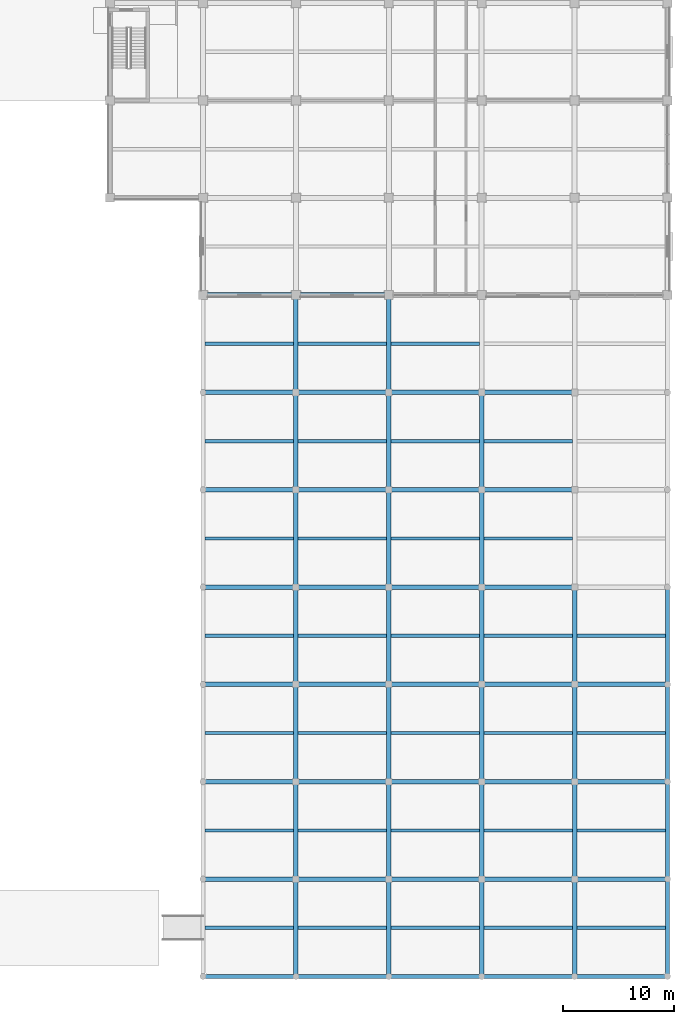
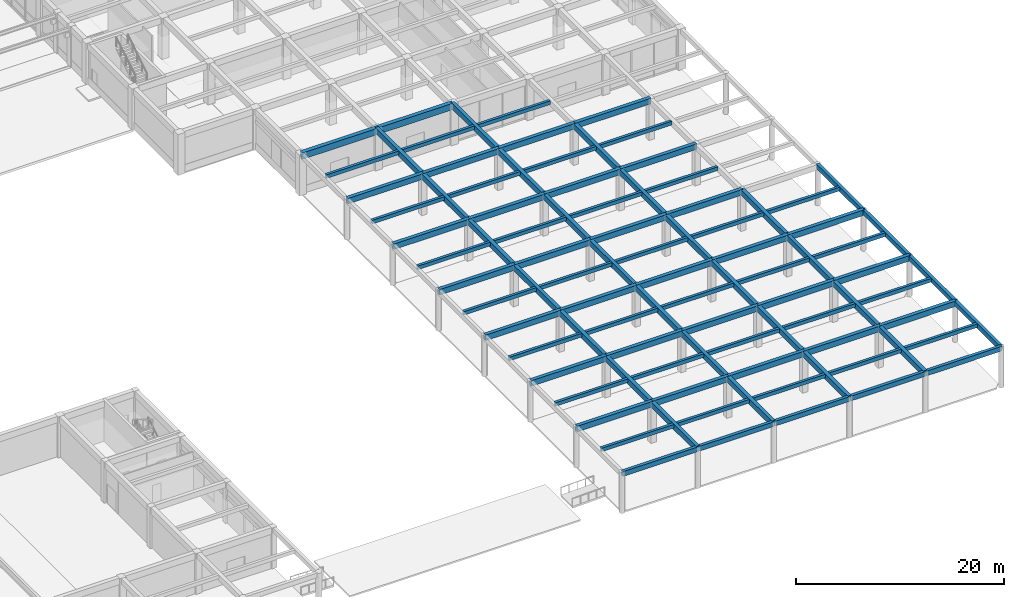
# One storey, part 20 of 58: 93 beams.
"""IFC4 building model written with IfcOpenShell, lengths in metres."""

from ifc_helpers import new_model, si_unit, direction, frame, origin, origin_2d, place, context, subcontext, project, spatial, rectangle, extrude, material, material_profile, profile_set, type_object, element, save


model = new_model("IFC4")

# Units and contexts
model_context = context("Model", 3, precision=1e-05, world=origin(), true_north=direction((0.0, 1.0)))
body_context = subcontext(model_context, "Body", "Model", "MODEL_VIEW")
ifc_project = project(units=[si_unit("LENGTHUNIT", "METRE"), si_unit("AREAUNIT", "SQUARE_METRE"), si_unit("VOLUMEUNIT", "CUBIC_METRE"), si_unit("PLANEANGLEUNIT", "RADIAN"), si_unit("MASSUNIT", "GRAM", prefix="KILO")], contexts=[model_context])

# Site, building, storey
site_placement = place(None, origin())
site = spatial("IfcSite", under=ifc_project, at=site_placement, CompositionType="ELEMENT")
building_placement = place(site_placement, origin())
building = spatial("IfcBuilding", under=site, at=building_placement, Name="Kemercrest Conservatory and Botanical Centre", CompositionType="ELEMENT")
storey_placement = place(building_placement, origin())
storey = spatial("IfcBuildingStorey", under=building, at=storey_placement, Name="L00", CompositionType="ELEMENT", Elevation=0.0)

# Beams
ifc_material_1 = material(Name="Concrete C40/50", Category="concrete")
ifc_material_profile_1 = material_profile(ifc_material_1, rectangle(XDim=0.39990234375, YDim=0.64990234375, at=origin_2d()), Name="RC 400x650")
ifc_profile_set_1 = profile_set([ifc_material_profile_1], Name="Concrete C40/50")
beam_type_1 = type_object("IfcBeamType", Name="BM-RC65", PredefinedType="BEAM", material=ifc_profile_set_1)
beam_1_placement = place(storey_placement, frame((134.0, 16.800048828125, 4.47509765625), z_axis=(1.0, 0.0, 0.0), x_axis=(0.0, 1.0, 0.0)))
element("IfcBeam", 1, at=beam_1_placement, inside=storey, type_object=beam_type_1, Name="V4SECOL beam BM-RC65 B/16-17", PredefinedType="BEAM", context=body_context, shape_type="SweptSolid", body=[
    extrude(rectangle(XDim=0.39990234375, YDim=0.64990234375, at=origin_2d()), origin(), (0.0, 0.0, 1.0), 8.39990234375),
])
beam_2_placement = place(storey_placement, frame((142.39990234375, 16.800048828125, 4.47509765625), z_axis=(1.0, 0.0, 0.0), x_axis=(0.0, 1.0, 0.0)))
element("IfcBeam", 2, at=beam_2_placement, inside=storey, type_object=beam_type_1, Name="V4SECOL beam BM-RC65 B/17-18", PredefinedType="BEAM", context=body_context, shape_type="SweptSolid", body=[
    extrude(rectangle(XDim=0.39990234375, YDim=0.64990234375, at=origin_2d()), origin(), (0.0, 0.0, 1.0), 8.400146484375),
])
beam_3_placement = place(storey_placement, frame((150.800048828125, 16.800048828125, 4.47509765625), z_axis=(1.0, 0.0, 0.0), x_axis=(0.0, 1.0, 0.0)))
element("IfcBeam", 3, at=beam_3_placement, inside=storey, type_object=beam_type_1, Name="V4SECOL beam BM-RC65 B/18-19", PredefinedType="BEAM", context=body_context, shape_type="SweptSolid", body=[
    extrude(rectangle(XDim=0.39990234375, YDim=0.64990234375, at=origin_2d()), origin(), (0.0, 0.0, 1.0), 8.39990234375),
])
beam_4_placement = place(storey_placement, frame((159.199951171875, 16.800048828125, 4.47509765625), z_axis=(1.0, 0.0, 0.0), x_axis=(0.0, 1.0, 0.0)))
element("IfcBeam", 4, at=beam_4_placement, inside=storey, type_object=beam_type_1, Name="V4SECOL beam BM-RC65 B/19-20", PredefinedType="BEAM", context=body_context, shape_type="SweptSolid", body=[
    extrude(rectangle(XDim=0.39990234375, YDim=0.64990234375, at=origin_2d()), origin(), (0.0, 0.0, 1.0), 8.400146484375),
])
for number, where, z_axis, x_axis, name in (
    (5, (167.60009765625, 16.800048828125, 4.47509765625), (1.0, 0.0, 0.0), (0.0, 1.0, 0.0), "V4SECOL beam BM-RC65 B/20-21"),
    (6, (134.0, 25.60009765625, 4.47509765625), (1.0, 0.0, 0.0), (0.0, 1.0, 0.0), "V4SECOL beam BM-RC65 C/16-17"),
):
    element("IfcBeam", number, at=place(storey_placement, frame(where, z_axis=z_axis, x_axis=x_axis)), inside=storey, type_object=beam_type_1, Name=name, PredefinedType="BEAM", context=body_context, shape_type="SweptSolid", body=[
        extrude(rectangle(XDim=0.39990234375, YDim=0.64990234375, at=origin_2d()), origin(), (0.0, 0.0, 1.0), 8.39990234375),
    ])
beam_5_placement = place(storey_placement, frame((142.39990234375, 25.60009765625, 4.47509765625), z_axis=(1.0, 0.0, 0.0), x_axis=(0.0, 1.0, 0.0)))
element("IfcBeam", 7, at=beam_5_placement, inside=storey, type_object=beam_type_1, Name="V4SECOL beam BM-RC65 C/17-18", PredefinedType="BEAM", context=body_context, shape_type="SweptSolid", body=[
    extrude(rectangle(XDim=0.39990234375, YDim=0.64990234375, at=origin_2d()), origin(), (0.0, 0.0, 1.0), 8.400146484375),
])
beam_6_placement = place(storey_placement, frame((150.800048828125, 25.60009765625, 4.47509765625), z_axis=(1.0, 0.0, 0.0), x_axis=(0.0, 1.0, 0.0)))
element("IfcBeam", 8, at=beam_6_placement, inside=storey, type_object=beam_type_1, Name="V4SECOL beam BM-RC65 C/18-19", PredefinedType="BEAM", context=body_context, shape_type="SweptSolid", body=[
    extrude(rectangle(XDim=0.39990234375, YDim=0.64990234375, at=origin_2d()), origin(), (0.0, 0.0, 1.0), 8.39990234375),
])
beam_7_placement = place(storey_placement, frame((159.199951171875, 25.60009765625, 4.47509765625), z_axis=(1.0, 0.0, 0.0), x_axis=(0.0, 1.0, 0.0)))
element("IfcBeam", 9, at=beam_7_placement, inside=storey, type_object=beam_type_1, Name="V4SECOL beam BM-RC65 C/19-20", PredefinedType="BEAM", context=body_context, shape_type="SweptSolid", body=[
    extrude(rectangle(XDim=0.39990234375, YDim=0.64990234375, at=origin_2d()), origin(), (0.0, 0.0, 1.0), 8.400146484375),
])
for number, where, z_axis, x_axis, name in (
    (10, (167.60009765625, 25.60009765625, 4.47509765625), (1.0, 0.0, 0.0), (0.0, 1.0, 0.0), "V4SECOL beam BM-RC65 C/20-21"),
    (11, (134.0, 34.39990234375, 4.47509765625), (1.0, 0.0, 0.0), (0.0, 1.0, 0.0), "V4SECOL beam BM-RC65 D/16-17"),
):
    element("IfcBeam", number, at=place(storey_placement, frame(where, z_axis=z_axis, x_axis=x_axis)), inside=storey, type_object=beam_type_1, Name=name, PredefinedType="BEAM", context=body_context, shape_type="SweptSolid", body=[
        extrude(rectangle(XDim=0.39990234375, YDim=0.64990234375, at=origin_2d()), origin(), (0.0, 0.0, 1.0), 8.39990234375),
    ])
beam_8_placement = place(storey_placement, frame((142.39990234375, 34.39990234375, 4.47509765625), z_axis=(1.0, 0.0, 0.0), x_axis=(0.0, 1.0, 0.0)))
element("IfcBeam", 12, at=beam_8_placement, inside=storey, type_object=beam_type_1, Name="V4SECOL beam BM-RC65 D/17-18", PredefinedType="BEAM", context=body_context, shape_type="SweptSolid", body=[
    extrude(rectangle(XDim=0.39990234375, YDim=0.64990234375, at=origin_2d()), origin(), (0.0, 0.0, 1.0), 8.400146484375),
])
beam_9_placement = place(storey_placement, frame((150.800048828125, 34.39990234375, 4.47509765625), z_axis=(1.0, 0.0, 0.0), x_axis=(0.0, 1.0, 0.0)))
element("IfcBeam", 13, at=beam_9_placement, inside=storey, type_object=beam_type_1, Name="V4SECOL beam BM-RC65 D/18-19", PredefinedType="BEAM", context=body_context, shape_type="SweptSolid", body=[
    extrude(rectangle(XDim=0.39990234375, YDim=0.64990234375, at=origin_2d()), origin(), (0.0, 0.0, 1.0), 8.39990234375),
])
beam_10_placement = place(storey_placement, frame((159.199951171875, 34.39990234375, 4.47509765625), z_axis=(1.0, 0.0, 0.0), x_axis=(0.0, 1.0, 0.0)))
element("IfcBeam", 14, at=beam_10_placement, inside=storey, type_object=beam_type_1, Name="V4SECOL beam BM-RC65 D/19-20", PredefinedType="BEAM", context=body_context, shape_type="SweptSolid", body=[
    extrude(rectangle(XDim=0.39990234375, YDim=0.64990234375, at=origin_2d()), origin(), (0.0, 0.0, 1.0), 8.400146484375),
])
for number, where, z_axis, x_axis, name in (
    (15, (167.60009765625, 34.39990234375, 4.47509765625), (1.0, 0.0, 0.0), (0.0, 1.0, 0.0), "V4SECOL beam BM-RC65 D/20-21"),
    (16, (134.0, 43.199951171875, 4.47509765625), (1.0, 0.0, 0.0), (0.0, 1.0, 0.0), "V4SECOL beam BM-RC65 E/16-17"),
):
    element("IfcBeam", number, at=place(storey_placement, frame(where, z_axis=z_axis, x_axis=x_axis)), inside=storey, type_object=beam_type_1, Name=name, PredefinedType="BEAM", context=body_context, shape_type="SweptSolid", body=[
        extrude(rectangle(XDim=0.39990234375, YDim=0.64990234375, at=origin_2d()), origin(), (0.0, 0.0, 1.0), 8.39990234375),
    ])
beam_11_placement = place(storey_placement, frame((142.39990234375, 43.199951171875, 4.47509765625), z_axis=(1.0, 0.0, 0.0), x_axis=(0.0, 1.0, 0.0)))
element("IfcBeam", 17, at=beam_11_placement, inside=storey, type_object=beam_type_1, Name="V4SECOL beam BM-RC65 E/17-18", PredefinedType="BEAM", context=body_context, shape_type="SweptSolid", body=[
    extrude(rectangle(XDim=0.39990234375, YDim=0.64990234375, at=origin_2d()), origin(), (0.0, 0.0, 1.0), 8.400146484375),
])
beam_12_placement = place(storey_placement, frame((150.800048828125, 43.199951171875, 4.47509765625), z_axis=(1.0, 0.0, 0.0), x_axis=(0.0, 1.0, 0.0)))
element("IfcBeam", 18, at=beam_12_placement, inside=storey, type_object=beam_type_1, Name="V4SECOL beam BM-RC65 E/18-19", PredefinedType="BEAM", context=body_context, shape_type="SweptSolid", body=[
    extrude(rectangle(XDim=0.39990234375, YDim=0.64990234375, at=origin_2d()), origin(), (0.0, 0.0, 1.0), 8.39990234375),
])
beam_13_placement = place(storey_placement, frame((159.199951171875, 43.199951171875, 4.47509765625), z_axis=(1.0, 0.0, 0.0), x_axis=(0.0, 1.0, 0.0)))
element("IfcBeam", 19, at=beam_13_placement, inside=storey, type_object=beam_type_1, Name="V4SECOL beam BM-RC65 E/19-20", PredefinedType="BEAM", context=body_context, shape_type="SweptSolid", body=[
    extrude(rectangle(XDim=0.39990234375, YDim=0.64990234375, at=origin_2d()), origin(), (0.0, 0.0, 1.0), 8.400146484375),
])
beam_14_placement = place(storey_placement, frame((134.0, 52.0, 4.47509765625), z_axis=(1.0, 0.0, 0.0), x_axis=(0.0, 1.0, 0.0)))
element("IfcBeam", 20, at=beam_14_placement, inside=storey, type_object=beam_type_1, Name="V4SECOL beam BM-RC65 F/16-17", PredefinedType="BEAM", context=body_context, shape_type="SweptSolid", body=[
    extrude(rectangle(XDim=0.39990234375, YDim=0.64990234375, at=origin_2d()), origin(), (0.0, 0.0, 1.0), 8.39990234375),
])
beam_15_placement = place(storey_placement, frame((142.39990234375, 52.0, 4.47509765625), z_axis=(1.0, 0.0, 0.0), x_axis=(0.0, 1.0, 0.0)))
element("IfcBeam", 21, at=beam_15_placement, inside=storey, type_object=beam_type_1, Name="V4SECOL beam BM-RC65 F/17-18", PredefinedType="BEAM", context=body_context, shape_type="SweptSolid", body=[
    extrude(rectangle(XDim=0.39990234375, YDim=0.64990234375, at=origin_2d()), origin(), (0.0, 0.0, 1.0), 8.400146484375),
])
beam_16_placement = place(storey_placement, frame((150.800048828125, 52.0, 4.47509765625), z_axis=(1.0, 0.0, 0.0), x_axis=(0.0, 1.0, 0.0)))
element("IfcBeam", 22, at=beam_16_placement, inside=storey, type_object=beam_type_1, Name="V4SECOL beam BM-RC65 F/18-19", PredefinedType="BEAM", context=body_context, shape_type="SweptSolid", body=[
    extrude(rectangle(XDim=0.39990234375, YDim=0.64990234375, at=origin_2d()), origin(), (0.0, 0.0, 1.0), 8.39990234375),
])
beam_17_placement = place(storey_placement, frame((159.199951171875, 52.0, 4.47509765625), z_axis=(1.0, 0.0, 0.0), x_axis=(0.0, 1.0, 0.0)))
element("IfcBeam", 23, at=beam_17_placement, inside=storey, type_object=beam_type_1, Name="V4SECOL beam BM-RC65 F/19-20", PredefinedType="BEAM", context=body_context, shape_type="SweptSolid", body=[
    extrude(rectangle(XDim=0.39990234375, YDim=0.64990234375, at=origin_2d()), origin(), (0.0, 0.0, 1.0), 8.400146484375),
])
beam_18_placement = place(storey_placement, frame((134.0, 60.800048828125, 4.47509765625), z_axis=(1.0, 0.0, 0.0), x_axis=(0.0, 1.0, 0.0)))
element("IfcBeam", 24, at=beam_18_placement, inside=storey, type_object=beam_type_1, Name="V4SECOL beam BM-RC65 G/16-17", PredefinedType="BEAM", context=body_context, shape_type="SweptSolid", body=[
    extrude(rectangle(XDim=0.39990234375, YDim=0.64990234375, at=origin_2d()), origin(), (0.0, 0.0, 1.0), 8.39990234375),
])
beam_19_placement = place(storey_placement, frame((142.39990234375, 60.800048828125, 4.47509765625), z_axis=(1.0, 0.0, 0.0), x_axis=(0.0, 1.0, 0.0)))
element("IfcBeam", 25, at=beam_19_placement, inside=storey, type_object=beam_type_1, Name="V4SECOL beam BM-RC65 G/17-18", PredefinedType="BEAM", context=body_context, shape_type="SweptSolid", body=[
    extrude(rectangle(XDim=0.39990234375, YDim=0.64990234375, at=origin_2d()), origin(), (0.0, 0.0, 1.0), 8.400146484375),
])
beam_20_placement = place(storey_placement, frame((150.800048828125, 60.800048828125, 4.47509765625), z_axis=(1.0, 0.0, 0.0), x_axis=(0.0, 1.0, 0.0)))
element("IfcBeam", 26, at=beam_20_placement, inside=storey, type_object=beam_type_1, Name="V4SECOL beam BM-RC65 G/18-19", PredefinedType="BEAM", context=body_context, shape_type="SweptSolid", body=[
    extrude(rectangle(XDim=0.39990234375, YDim=0.64990234375, at=origin_2d()), origin(), (0.0, 0.0, 1.0), 8.39990234375),
])
beam_21_placement = place(storey_placement, frame((159.199951171875, 60.800048828125, 4.47509765625), z_axis=(1.0, 0.0, 0.0), x_axis=(0.0, 1.0, 0.0)))
element("IfcBeam", 27, at=beam_21_placement, inside=storey, type_object=beam_type_1, Name="V4SECOL beam BM-RC65 G/19-20", PredefinedType="BEAM", context=body_context, shape_type="SweptSolid", body=[
    extrude(rectangle(XDim=0.39990234375, YDim=0.64990234375, at=origin_2d()), origin(), (0.0, 0.0, 1.0), 8.400146484375),
])
for number, where, z_axis, x_axis, name in (
    (28, (142.39990234375, 8.0, 4.47509765625), (0.0, 1.0, 0.0), (-1.0, 0.0, 0.0), "V4SECOL beam BM-RC65 17/A-B"),
    (29, (142.39990234375, 16.800048828125, 4.47509765625), (0.0, 1.0, 0.0), (-1.0, 0.0, 0.0), "V4SECOL beam BM-RC65 17/B-C"),
):
    element("IfcBeam", number, at=place(storey_placement, frame(where, z_axis=z_axis, x_axis=x_axis)), inside=storey, type_object=beam_type_1, Name=name, PredefinedType="BEAM", context=body_context, shape_type="SweptSolid", body=[
        extrude(rectangle(XDim=0.39990234375, YDim=0.64990234375, at=origin_2d()), origin(), (0.0, 0.0, 1.0), 8.800048828125),
    ])
beam_22_placement = place(storey_placement, frame((142.39990234375, 25.60009765625, 4.47509765625), z_axis=(0.0, 1.0, 0.0), x_axis=(-1.0, 0.0, 0.0)))
element("IfcBeam", 30, at=beam_22_placement, inside=storey, type_object=beam_type_1, Name="V4SECOL beam BM-RC65 17/C-D", PredefinedType="BEAM", context=body_context, shape_type="SweptSolid", body=[
    extrude(rectangle(XDim=0.39990234375, YDim=0.64990234375, at=origin_2d()), origin(), (0.0, 0.0, 1.0), 8.7998046875),
])
for number, where, z_axis, x_axis, name in (
    (31, (142.39990234375, 34.39990234375, 4.47509765625), (0.0, 1.0, 0.0), (-1.0, 0.0, 0.0), "V4SECOL beam BM-RC65 17/D-E"),
    (32, (142.39990234375, 43.199951171875, 4.47509765625), (0.0, 1.0, 0.0), (-1.0, 0.0, 0.0), "V4SECOL beam BM-RC65 17/E-F"),
    (33, (142.39990234375, 52.0, 4.47509765625), (0.0, 1.0, 0.0), (-1.0, 0.0, 0.0), "V4SECOL beam BM-RC65 17/F-G"),
    (34, (142.39990234375, 60.800048828125, 4.47509765625), (0.0, 1.0, 0.0), (-1.0, 0.0, 0.0), "V4SECOL beam BM-RC65 17/G-H"),
    (35, (150.800048828125, 8.0, 4.47509765625), (0.0, 1.0, 0.0), (-1.0, 0.0, 0.0), "V4SECOL beam BM-RC65 18/A-B"),
    (36, (150.800048828125, 16.800048828125, 4.47509765625), (0.0, 1.0, 0.0), (-1.0, 0.0, 0.0), "V4SECOL beam BM-RC65 18/B-C"),
):
    element("IfcBeam", number, at=place(storey_placement, frame(where, z_axis=z_axis, x_axis=x_axis)), inside=storey, type_object=beam_type_1, Name=name, PredefinedType="BEAM", context=body_context, shape_type="SweptSolid", body=[
        extrude(rectangle(XDim=0.39990234375, YDim=0.64990234375, at=origin_2d()), origin(), (0.0, 0.0, 1.0), 8.800048828125),
    ])
beam_23_placement = place(storey_placement, frame((150.800048828125, 25.60009765625, 4.47509765625), z_axis=(0.0, 1.0, 0.0), x_axis=(-1.0, 0.0, 0.0)))
element("IfcBeam", 37, at=beam_23_placement, inside=storey, type_object=beam_type_1, Name="V4SECOL beam BM-RC65 18/C-D", PredefinedType="BEAM", context=body_context, shape_type="SweptSolid", body=[
    extrude(rectangle(XDim=0.39990234375, YDim=0.64990234375, at=origin_2d()), origin(), (0.0, 0.0, 1.0), 8.7998046875),
])
for number, where, z_axis, x_axis, name in (
    (38, (150.800048828125, 34.39990234375, 4.47509765625), (0.0, 1.0, 0.0), (-1.0, 0.0, 0.0), "V4SECOL beam BM-RC65 18/D-E"),
    (39, (150.800048828125, 43.199951171875, 4.47509765625), (0.0, 1.0, 0.0), (-1.0, 0.0, 0.0), "V4SECOL beam BM-RC65 18/E-F"),
    (40, (150.800048828125, 52.0, 4.47509765625), (0.0, 1.0, 0.0), (-1.0, 0.0, 0.0), "V4SECOL beam BM-RC65 18/F-G"),
    (41, (150.800048828125, 60.800048828125, 4.47509765625), (0.0, 1.0, 0.0), (-1.0, 0.0, 0.0), "V4SECOL beam BM-RC65 18/G-H"),
    (42, (159.199951171875, 8.0, 4.47509765625), (0.0, 1.0, 0.0), (-1.0, 0.0, 0.0), "V4SECOL beam BM-RC65 19/A-B"),
    (43, (159.199951171875, 16.800048828125, 4.47509765625), (0.0, 1.0, 0.0), (-1.0, 0.0, 0.0), "V4SECOL beam BM-RC65 19/B-C"),
):
    element("IfcBeam", number, at=place(storey_placement, frame(where, z_axis=z_axis, x_axis=x_axis)), inside=storey, type_object=beam_type_1, Name=name, PredefinedType="BEAM", context=body_context, shape_type="SweptSolid", body=[
        extrude(rectangle(XDim=0.39990234375, YDim=0.64990234375, at=origin_2d()), origin(), (0.0, 0.0, 1.0), 8.800048828125),
    ])
beam_24_placement = place(storey_placement, frame((159.199951171875, 25.60009765625, 4.47509765625), z_axis=(0.0, 1.0, 0.0), x_axis=(-1.0, 0.0, 0.0)))
element("IfcBeam", 44, at=beam_24_placement, inside=storey, type_object=beam_type_1, Name="V4SECOL beam BM-RC65 19/C-D", PredefinedType="BEAM", context=body_context, shape_type="SweptSolid", body=[
    extrude(rectangle(XDim=0.39990234375, YDim=0.64990234375, at=origin_2d()), origin(), (0.0, 0.0, 1.0), 8.7998046875),
])
for number, where, z_axis, x_axis, name in (
    (45, (159.199951171875, 34.39990234375, 4.47509765625), (0.0, 1.0, 0.0), (-1.0, 0.0, 0.0), "V4SECOL beam BM-RC65 19/D-E"),
    (46, (159.199951171875, 43.199951171875, 4.47509765625), (0.0, 1.0, 0.0), (-1.0, 0.0, 0.0), "V4SECOL beam BM-RC65 19/E-F"),
    (47, (159.199951171875, 52.0, 4.47509765625), (0.0, 1.0, 0.0), (-1.0, 0.0, 0.0), "V4SECOL beam BM-RC65 19/F-G"),
    (48, (167.60009765625, 8.0, 4.47509765625), (0.0, 1.0, 0.0), (-1.0, 0.0, 0.0), "V4SECOL beam BM-RC65 20/A-B"),
    (49, (167.60009765625, 16.800048828125, 4.47509765625), (0.0, 1.0, 0.0), (-1.0, 0.0, 0.0), "V4SECOL beam BM-RC65 20/B-C"),
):
    element("IfcBeam", number, at=place(storey_placement, frame(where, z_axis=z_axis, x_axis=x_axis)), inside=storey, type_object=beam_type_1, Name=name, PredefinedType="BEAM", context=body_context, shape_type="SweptSolid", body=[
        extrude(rectangle(XDim=0.39990234375, YDim=0.64990234375, at=origin_2d()), origin(), (0.0, 0.0, 1.0), 8.800048828125),
    ])
beam_25_placement = place(storey_placement, frame((167.60009765625, 25.60009765625, 4.47509765625), z_axis=(0.0, 1.0, 0.0), x_axis=(-1.0, 0.0, 0.0)))
element("IfcBeam", 50, at=beam_25_placement, inside=storey, type_object=beam_type_1, Name="V4SECOL beam BM-RC65 20/C-D", PredefinedType="BEAM", context=body_context, shape_type="SweptSolid", body=[
    extrude(rectangle(XDim=0.39990234375, YDim=0.64990234375, at=origin_2d()), origin(), (0.0, 0.0, 1.0), 8.7998046875),
])
beam_26_placement = place(storey_placement, frame((167.60009765625, 34.39990234375, 4.47509765625), z_axis=(0.0, 1.0, 0.0), x_axis=(-1.0, 0.0, 0.0)))
element("IfcBeam", 51, at=beam_26_placement, inside=storey, type_object=beam_type_1, Name="V4SECOL beam BM-RC65 20/D-E", PredefinedType="BEAM", context=body_context, shape_type="SweptSolid", body=[
    extrude(rectangle(XDim=0.39990234375, YDim=0.64990234375, at=origin_2d()), origin(), (0.0, 0.0, 1.0), 8.800048828125),
])
ifc_material_profile_2 = material_profile(ifc_material_1, rectangle(XDim=0.300048828125, YDim=0.419921875, at=origin_2d()), Name="RC 300x420")
ifc_profile_set_2 = profile_set([ifc_material_profile_2], Name="Concrete C40/50")
beam_type_2 = type_object("IfcBeamType", Name="JS-RC42", PredefinedType="JOIST", material=ifc_profile_set_2)
beam_27_placement = place(storey_placement, frame((134.175048828125, 12.39990234375, 4.590087890625), z_axis=(1.0, 0.0, 0.0), x_axis=(0.0, 1.0, 0.0)))
element("IfcBeam", 52, at=beam_27_placement, inside=storey, type_object=beam_type_2, Name="V4SECOL secondary joist JS-RC42", PredefinedType="JOIST", context=body_context, shape_type="SweptSolid", body=[
    extrude(rectangle(XDim=0.300048828125, YDim=0.419921875, at=origin_2d()), origin(), (0.0, 0.0, 1.0), 8.02490234375),
])
for number, where, z_axis, x_axis, name in (
    (53, (142.60009765625, 12.39990234375, 4.590087890625), (1.0, 0.0, 0.0), (0.0, 1.0, 0.0), "V4SECOL secondary joist JS-RC42"),
    (54, (151.0, 12.39990234375, 4.590087890625), (1.0, 0.0, 0.0), (0.0, 1.0, 0.0), "V4SECOL secondary joist JS-RC42"),
    (55, (159.39990234375, 12.39990234375, 4.590087890625), (1.0, 0.0, 0.0), (0.0, 1.0, 0.0), "V4SECOL secondary joist JS-RC42"),
):
    element("IfcBeam", number, at=place(storey_placement, frame(where, z_axis=z_axis, x_axis=x_axis)), inside=storey, type_object=beam_type_2, Name=name, PredefinedType="JOIST", context=body_context, shape_type="SweptSolid", body=[
        extrude(rectangle(XDim=0.300048828125, YDim=0.419921875, at=origin_2d()), origin(), (0.0, 0.0, 1.0), 8.0),
    ])
for number, where, z_axis, x_axis, name in (
    (56, (167.800048828125, 12.39990234375, 4.590087890625), (1.0, 0.0, 0.0), (0.0, 1.0, 0.0), "V4SECOL secondary joist JS-RC42"),
    (57, (134.175048828125, 21.199951171875, 4.590087890625), (1.0, 0.0, 0.0), (0.0, 1.0, 0.0), "V4SECOL secondary joist JS-RC42"),
):
    element("IfcBeam", number, at=place(storey_placement, frame(where, z_axis=z_axis, x_axis=x_axis)), inside=storey, type_object=beam_type_2, Name=name, PredefinedType="JOIST", context=body_context, shape_type="SweptSolid", body=[
        extrude(rectangle(XDim=0.300048828125, YDim=0.419921875, at=origin_2d()), origin(), (0.0, 0.0, 1.0), 8.02490234375),
    ])
for number, where, z_axis, x_axis, name in (
    (58, (142.60009765625, 21.199951171875, 4.590087890625), (1.0, 0.0, 0.0), (0.0, 1.0, 0.0), "V4SECOL secondary joist JS-RC42"),
    (59, (151.0, 21.199951171875, 4.590087890625), (1.0, 0.0, 0.0), (0.0, 1.0, 0.0), "V4SECOL secondary joist JS-RC42"),
    (60, (159.39990234375, 21.199951171875, 4.590087890625), (1.0, 0.0, 0.0), (0.0, 1.0, 0.0), "V4SECOL secondary joist JS-RC42"),
):
    element("IfcBeam", number, at=place(storey_placement, frame(where, z_axis=z_axis, x_axis=x_axis)), inside=storey, type_object=beam_type_2, Name=name, PredefinedType="JOIST", context=body_context, shape_type="SweptSolid", body=[
        extrude(rectangle(XDim=0.300048828125, YDim=0.419921875, at=origin_2d()), origin(), (0.0, 0.0, 1.0), 8.0),
    ])
for number, where, z_axis, x_axis, name in (
    (61, (167.800048828125, 21.199951171875, 4.590087890625), (1.0, 0.0, 0.0), (0.0, 1.0, 0.0), "V4SECOL secondary joist JS-RC42"),
    (62, (134.175048828125, 30.0, 4.590087890625), (1.0, 0.0, 0.0), (0.0, 1.0, 0.0), "V4SECOL secondary joist JS-RC42"),
):
    element("IfcBeam", number, at=place(storey_placement, frame(where, z_axis=z_axis, x_axis=x_axis)), inside=storey, type_object=beam_type_2, Name=name, PredefinedType="JOIST", context=body_context, shape_type="SweptSolid", body=[
        extrude(rectangle(XDim=0.300048828125, YDim=0.419921875, at=origin_2d()), origin(), (0.0, 0.0, 1.0), 8.02490234375),
    ])
for number, where, z_axis, x_axis, name in (
    (63, (142.60009765625, 30.0, 4.590087890625), (1.0, 0.0, 0.0), (0.0, 1.0, 0.0), "V4SECOL secondary joist JS-RC42"),
    (64, (151.0, 30.0, 4.590087890625), (1.0, 0.0, 0.0), (0.0, 1.0, 0.0), "V4SECOL secondary joist JS-RC42"),
    (65, (159.39990234375, 30.0, 4.590087890625), (1.0, 0.0, 0.0), (0.0, 1.0, 0.0), "V4SECOL secondary joist JS-RC42"),
):
    element("IfcBeam", number, at=place(storey_placement, frame(where, z_axis=z_axis, x_axis=x_axis)), inside=storey, type_object=beam_type_2, Name=name, PredefinedType="JOIST", context=body_context, shape_type="SweptSolid", body=[
        extrude(rectangle(XDim=0.300048828125, YDim=0.419921875, at=origin_2d()), origin(), (0.0, 0.0, 1.0), 8.0),
    ])
for number, where, z_axis, x_axis, name in (
    (66, (167.800048828125, 30.0, 4.590087890625), (1.0, 0.0, 0.0), (0.0, 1.0, 0.0), "V4SECOL secondary joist JS-RC42"),
    (67, (134.175048828125, 38.800048828125, 4.590087890625), (1.0, 0.0, 0.0), (0.0, 1.0, 0.0), "V4SECOL secondary joist JS-RC42"),
):
    element("IfcBeam", number, at=place(storey_placement, frame(where, z_axis=z_axis, x_axis=x_axis)), inside=storey, type_object=beam_type_2, Name=name, PredefinedType="JOIST", context=body_context, shape_type="SweptSolid", body=[
        extrude(rectangle(XDim=0.300048828125, YDim=0.419921875, at=origin_2d()), origin(), (0.0, 0.0, 1.0), 8.02490234375),
    ])
for number, where, z_axis, x_axis, name in (
    (68, (142.60009765625, 38.800048828125, 4.590087890625), (1.0, 0.0, 0.0), (0.0, 1.0, 0.0), "V4SECOL secondary joist JS-RC42"),
    (69, (151.0, 38.800048828125, 4.590087890625), (1.0, 0.0, 0.0), (0.0, 1.0, 0.0), "V4SECOL secondary joist JS-RC42"),
    (70, (159.39990234375, 38.800048828125, 4.590087890625), (1.0, 0.0, 0.0), (0.0, 1.0, 0.0), "V4SECOL secondary joist JS-RC42"),
):
    element("IfcBeam", number, at=place(storey_placement, frame(where, z_axis=z_axis, x_axis=x_axis)), inside=storey, type_object=beam_type_2, Name=name, PredefinedType="JOIST", context=body_context, shape_type="SweptSolid", body=[
        extrude(rectangle(XDim=0.300048828125, YDim=0.419921875, at=origin_2d()), origin(), (0.0, 0.0, 1.0), 8.0),
    ])
for number, where, z_axis, x_axis, name in (
    (71, (167.800048828125, 38.800048828125, 4.590087890625), (1.0, 0.0, 0.0), (0.0, 1.0, 0.0), "V4SECOL secondary joist JS-RC42"),
    (72, (134.175048828125, 47.60009765625, 4.590087890625), (1.0, 0.0, 0.0), (0.0, 1.0, 0.0), "V4SECOL secondary joist JS-RC42"),
):
    element("IfcBeam", number, at=place(storey_placement, frame(where, z_axis=z_axis, x_axis=x_axis)), inside=storey, type_object=beam_type_2, Name=name, PredefinedType="JOIST", context=body_context, shape_type="SweptSolid", body=[
        extrude(rectangle(XDim=0.300048828125, YDim=0.419921875, at=origin_2d()), origin(), (0.0, 0.0, 1.0), 8.02490234375),
    ])
for number, where, z_axis, x_axis, name in (
    (73, (142.60009765625, 47.60009765625, 4.590087890625), (1.0, 0.0, 0.0), (0.0, 1.0, 0.0), "V4SECOL secondary joist JS-RC42"),
    (74, (151.0, 47.60009765625, 4.590087890625), (1.0, 0.0, 0.0), (0.0, 1.0, 0.0), "V4SECOL secondary joist JS-RC42"),
    (75, (159.39990234375, 47.60009765625, 4.590087890625), (1.0, 0.0, 0.0), (0.0, 1.0, 0.0), "V4SECOL secondary joist JS-RC42"),
):
    element("IfcBeam", number, at=place(storey_placement, frame(where, z_axis=z_axis, x_axis=x_axis)), inside=storey, type_object=beam_type_2, Name=name, PredefinedType="JOIST", context=body_context, shape_type="SweptSolid", body=[
        extrude(rectangle(XDim=0.300048828125, YDim=0.419921875, at=origin_2d()), origin(), (0.0, 0.0, 1.0), 8.0),
    ])
beam_28_placement = place(storey_placement, frame((134.175048828125, 56.39990234375, 4.590087890625), z_axis=(1.0, 0.0, 0.0), x_axis=(0.0, 1.0, 0.0)))
element("IfcBeam", 76, at=beam_28_placement, inside=storey, type_object=beam_type_2, Name="V4SECOL secondary joist JS-RC42", PredefinedType="JOIST", context=body_context, shape_type="SweptSolid", body=[
    extrude(rectangle(XDim=0.300048828125, YDim=0.419921875, at=origin_2d()), origin(), (0.0, 0.0, 1.0), 8.02490234375),
])
for number, where, z_axis, x_axis, name in (
    (77, (142.60009765625, 56.39990234375, 4.590087890625), (1.0, 0.0, 0.0), (0.0, 1.0, 0.0), "V4SECOL secondary joist JS-RC42"),
    (78, (151.0, 56.39990234375, 4.590087890625), (1.0, 0.0, 0.0), (0.0, 1.0, 0.0), "V4SECOL secondary joist JS-RC42"),
    (79, (159.39990234375, 56.39990234375, 4.590087890625), (1.0, 0.0, 0.0), (0.0, 1.0, 0.0), "V4SECOL secondary joist JS-RC42"),
):
    element("IfcBeam", number, at=place(storey_placement, frame(where, z_axis=z_axis, x_axis=x_axis)), inside=storey, type_object=beam_type_2, Name=name, PredefinedType="JOIST", context=body_context, shape_type="SweptSolid", body=[
        extrude(rectangle(XDim=0.300048828125, YDim=0.419921875, at=origin_2d()), origin(), (0.0, 0.0, 1.0), 8.0),
    ])
beam_29_placement = place(storey_placement, frame((134.175048828125, 65.199951171875, 4.590087890625), z_axis=(1.0, 0.0, 0.0), x_axis=(0.0, 1.0, 0.0)))
element("IfcBeam", 80, at=beam_29_placement, inside=storey, type_object=beam_type_2, Name="V4SECOL secondary joist JS-RC42", PredefinedType="JOIST", context=body_context, shape_type="SweptSolid", body=[
    extrude(rectangle(XDim=0.300048828125, YDim=0.419921875, at=origin_2d()), origin(), (0.0, 0.0, 1.0), 8.02490234375),
])
for number, where, z_axis, x_axis, name in (
    (81, (142.60009765625, 65.199951171875, 4.590087890625), (1.0, 0.0, 0.0), (0.0, 1.0, 0.0), "V4SECOL secondary joist JS-RC42"),
    (82, (151.0, 65.199951171875, 4.590087890625), (1.0, 0.0, 0.0), (0.0, 1.0, 0.0), "V4SECOL secondary joist JS-RC42"),
):
    element("IfcBeam", number, at=place(storey_placement, frame(where, z_axis=z_axis, x_axis=x_axis)), inside=storey, type_object=beam_type_2, Name=name, PredefinedType="JOIST", context=body_context, shape_type="SweptSolid", body=[
        extrude(rectangle(XDim=0.300048828125, YDim=0.419921875, at=origin_2d()), origin(), (0.0, 0.0, 1.0), 8.0),
    ])
ifc_material_2 = material(Name="Precast concrete C40/50", Category="concrete")
ifc_material_profile_3 = material_profile(ifc_material_2, rectangle(XDim=0.35009765625, YDim=0.550048828125, at=origin_2d()), Name="RC 350x550")
ifc_profile_set_3 = profile_set([ifc_material_profile_3], Name="Precast concrete C40/50")
beam_type_3 = type_object("IfcBeamType", Name="SP-ARC65", PredefinedType="SPANDREL", material=ifc_profile_set_3)
beam_30_placement = place(storey_placement, frame((134.0, 8.0, 4.52490234375), z_axis=(1.0, 0.0, 0.0), x_axis=(0.0, 1.0, 0.0)))
element("IfcBeam", 83, at=beam_30_placement, inside=storey, type_object=beam_type_3, Name="V4SECOL beam SP-ARC65 A/16-17", PredefinedType="SPANDREL", context=body_context, shape_type="SweptSolid", body=[
    extrude(rectangle(XDim=0.35009765625, YDim=0.550048828125, at=origin_2d()), origin(), (0.0, 0.0, 1.0), 8.39990234375),
])
beam_31_placement = place(storey_placement, frame((142.39990234375, 8.0, 4.52490234375), z_axis=(1.0, 0.0, 0.0), x_axis=(0.0, 1.0, 0.0)))
element("IfcBeam", 84, at=beam_31_placement, inside=storey, type_object=beam_type_3, Name="V4SECOL beam SP-ARC65 A/17-18", PredefinedType="SPANDREL", context=body_context, shape_type="SweptSolid", body=[
    extrude(rectangle(XDim=0.35009765625, YDim=0.550048828125, at=origin_2d()), origin(), (0.0, 0.0, 1.0), 8.400146484375),
])
beam_32_placement = place(storey_placement, frame((150.800048828125, 8.0, 4.52490234375), z_axis=(1.0, 0.0, 0.0), x_axis=(0.0, 1.0, 0.0)))
element("IfcBeam", 85, at=beam_32_placement, inside=storey, type_object=beam_type_3, Name="V4SECOL beam SP-ARC65 A/18-19", PredefinedType="SPANDREL", context=body_context, shape_type="SweptSolid", body=[
    extrude(rectangle(XDim=0.35009765625, YDim=0.550048828125, at=origin_2d()), origin(), (0.0, 0.0, 1.0), 8.39990234375),
])
beam_33_placement = place(storey_placement, frame((159.199951171875, 8.0, 4.52490234375), z_axis=(1.0, 0.0, 0.0), x_axis=(0.0, 1.0, 0.0)))
element("IfcBeam", 86, at=beam_33_placement, inside=storey, type_object=beam_type_3, Name="V4SECOL beam SP-ARC65 A/19-20", PredefinedType="SPANDREL", context=body_context, shape_type="SweptSolid", body=[
    extrude(rectangle(XDim=0.35009765625, YDim=0.550048828125, at=origin_2d()), origin(), (0.0, 0.0, 1.0), 8.400146484375),
])
beam_34_placement = place(storey_placement, frame((167.60009765625, 8.0, 4.52490234375), z_axis=(1.0, 0.0, 0.0), x_axis=(0.0, 1.0, 0.0)))
element("IfcBeam", 87, at=beam_34_placement, inside=storey, type_object=beam_type_3, Name="V4SECOL beam SP-ARC65 A/20-21", PredefinedType="SPANDREL", context=body_context, shape_type="SweptSolid", body=[
    extrude(rectangle(XDim=0.35009765625, YDim=0.550048828125, at=origin_2d()), origin(), (0.0, 0.0, 1.0), 8.39990234375),
])
for number, where, z_axis, x_axis, name in (
    (88, (176.0, 8.0, 4.52490234375), (0.0, 1.0, 0.0), (-1.0, 0.0, 0.0), "V4SECOL beam SP-ARC65 21/A-B"),
    (89, (176.0, 16.800048828125, 4.52490234375), (0.0, 1.0, 0.0), (-1.0, 0.0, 0.0), "V4SECOL beam SP-ARC65 21/B-C"),
):
    element("IfcBeam", number, at=place(storey_placement, frame(where, z_axis=z_axis, x_axis=x_axis)), inside=storey, type_object=beam_type_3, Name=name, PredefinedType="SPANDREL", context=body_context, shape_type="SweptSolid", body=[
        extrude(rectangle(XDim=0.35009765625, YDim=0.550048828125, at=origin_2d()), origin(), (0.0, 0.0, 1.0), 8.800048828125),
    ])
beam_35_placement = place(storey_placement, frame((176.0, 25.60009765625, 4.52490234375), z_axis=(0.0, 1.0, 0.0), x_axis=(-1.0, 0.0, 0.0)))
element("IfcBeam", 90, at=beam_35_placement, inside=storey, type_object=beam_type_3, Name="V4SECOL beam SP-ARC65 21/C-D", PredefinedType="SPANDREL", context=body_context, shape_type="SweptSolid", body=[
    extrude(rectangle(XDim=0.35009765625, YDim=0.550048828125, at=origin_2d()), origin(), (0.0, 0.0, 1.0), 8.7998046875),
])
beam_36_placement = place(storey_placement, frame((176.0, 34.39990234375, 4.52490234375), z_axis=(0.0, 1.0, 0.0), x_axis=(-1.0, 0.0, 0.0)))
element("IfcBeam", 91, at=beam_36_placement, inside=storey, type_object=beam_type_3, Name="V4SECOL beam SP-ARC65 21/D-E", PredefinedType="SPANDREL", context=body_context, shape_type="SweptSolid", body=[
    extrude(rectangle(XDim=0.35009765625, YDim=0.550048828125, at=origin_2d()), origin(), (0.0, 0.0, 1.0), 8.800048828125),
])
ifc_material_profile_4 = material_profile(ifc_material_1, rectangle(XDim=0.449951171875, YDim=0.75, at=origin_2d()), Name="RC 450x750")
ifc_profile_set_4 = profile_set([ifc_material_profile_4], Name="Concrete C40/50")
beam_type_4 = type_object("IfcBeamType", Name="SP-RC75", PredefinedType="SPANDREL", material=ifc_profile_set_4)
beam_37_placement = place(storey_placement, frame((134.0, 69.60009765625, 4.425048828125), z_axis=(1.0, 0.0, 0.0), x_axis=(0.0, 1.0, 0.0)))
element("IfcBeam", 92, at=beam_37_placement, inside=storey, type_object=beam_type_4, Name="V4-L01 beam SP-RC75 H/16-17", PredefinedType="SPANDREL", context=body_context, shape_type="SweptSolid", body=[
    extrude(rectangle(XDim=0.449951171875, YDim=0.75, at=origin_2d()), origin(), (0.0, 0.0, 1.0), 8.39990234375),
])
beam_38_placement = place(storey_placement, frame((142.39990234375, 69.60009765625, 4.425048828125), z_axis=(1.0, 0.0, 0.0), x_axis=(0.0, 1.0, 0.0)))
element("IfcBeam", 93, at=beam_38_placement, inside=storey, type_object=beam_type_4, Name="V4-L01 beam SP-RC75 H/17-18", PredefinedType="SPANDREL", context=body_context, shape_type="SweptSolid", body=[
    extrude(rectangle(XDim=0.449951171875, YDim=0.75, at=origin_2d()), origin(), (0.0, 0.0, 1.0), 8.400146484375),
])

save(model, "model.ifc")
